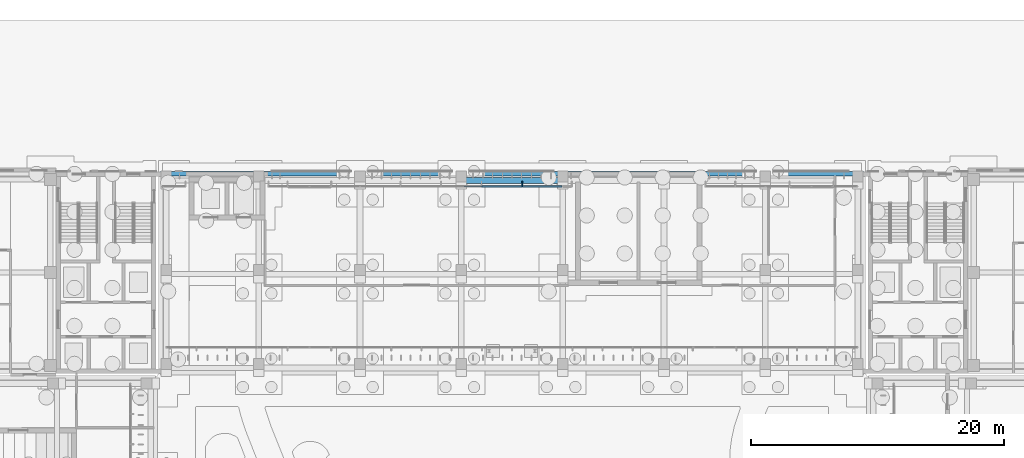
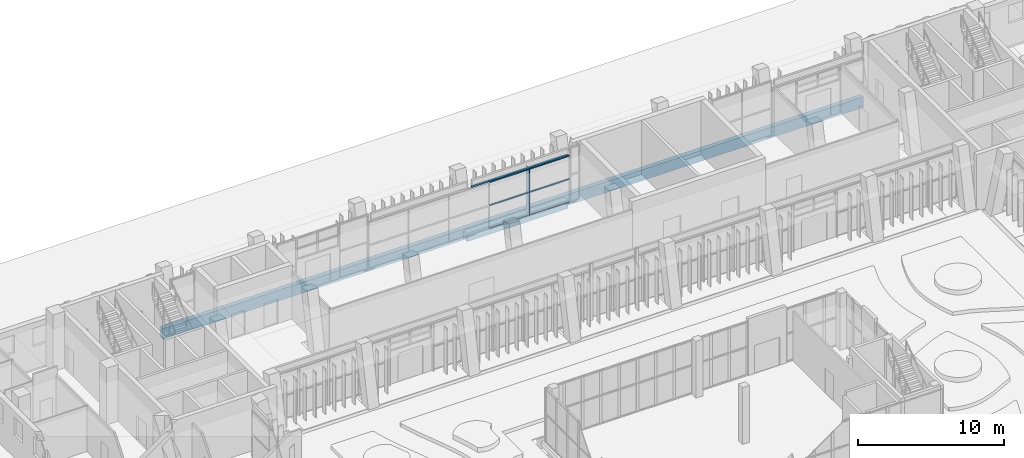
# One storey, part 66 of 144: 7 members, 3 beams, 1 element without a shape of its own.
"""IFC4 building model written with IfcOpenShell, lengths in metres."""

from ifc_helpers import new_model, si_unit, direction, frame, origin, origin_2d, place, context, subcontext, project, spatial, rectangle, hollow_rectangle, extrude, material, material_profile, profile_set, type_object, element, aggregate, save


model = new_model("IFC4")

# Units and contexts
model_context = context("Model", 3, precision=1e-05, world=origin(), true_north=direction((0.0, 1.0)))
body_context = subcontext(model_context, "Body", "Model", "MODEL_VIEW")
ifc_project = project(units=[si_unit("LENGTHUNIT", "METRE"), si_unit("AREAUNIT", "SQUARE_METRE"), si_unit("VOLUMEUNIT", "CUBIC_METRE"), si_unit("PLANEANGLEUNIT", "RADIAN"), si_unit("MASSUNIT", "GRAM", prefix="KILO")], contexts=[model_context])

# Site, building, storey
site_placement = place(None, origin())
site = spatial("IfcSite", under=ifc_project, at=site_placement, CompositionType="ELEMENT")
building_placement = place(site_placement, origin())
building = spatial("IfcBuilding", under=site, at=building_placement, Name="Lantern Court Media Centre", CompositionType="ELEMENT")
storey_placement = place(building_placement, origin())
storey = spatial("IfcBuildingStorey", under=building, at=storey_placement, Name="L00", CompositionType="ELEMENT", Elevation=0.0)

# Curtain wall, members
ifc_material_1 = material(Name="Curtain wall bay 3000")
curtain_wall_type = type_object("IfcCurtainWallType", Name="Curtain wall bay 3000", PredefinedType="NOTDEFINED", material=ifc_material_1)
curtain_wall_placement = place(storey_placement, origin())
curtain_wall = element("IfcCurtainWall", 1, at=curtain_wall_placement, inside=storey, type_object=curtain_wall_type, Name="Curtain wall N outer L00", PredefinedType="NOTDEFINED")
ifc_material_2 = material(Name="Anodised aluminium", Category="aluminium")
ifc_material_profile_1 = material_profile(ifc_material_2, rectangle(XDim=0.449951171875, YDim=0.06005859375, at=origin_2d()), Name="AL 60x450")
ifc_profile_set_1 = profile_set([ifc_material_profile_1], Name="Anodised aluminium")
member_type_1 = type_object("IfcMemberType", Name="Curtain wall mullion 60x450", PredefinedType="MULLION", material=ifc_profile_set_1)
member_1_placement = place(storey_placement, frame((52.800048828125, 111.044921875, 0.0), z_axis=(0.0, 0.0, 1.0), x_axis=(0.0, 1.0, 0.0)))
member_1 = element("IfcMember", 2, at=member_1_placement, type_object=member_type_1, Name="CW1 mullion 5", PredefinedType="MULLION", context=body_context, shape_type="SweptSolid", body=[
    extrude(rectangle(XDim=0.449951171875, YDim=0.06005859375, at=origin_2d()), origin(), (0.0, 0.0, 1.0), 3.949951171875),
])
ifc_material_profile_2 = material_profile(ifc_material_2, rectangle(XDim=0.1201171875, YDim=0.06005859375, at=origin_2d()), Name="AL 60x120")
ifc_profile_set_2 = profile_set([ifc_material_profile_2], Name="Anodised aluminium")
member_type_2 = type_object("IfcMemberType", Name="Curtain wall transom 60x120", PredefinedType="USERDEFINED", material=ifc_profile_set_2)
member_2_placement = place(storey_placement, frame((49.6298828125, 110.85009765625, 0.030029296875), z_axis=(1.0, 0.0, 0.0), x_axis=(0.0, 1.0, 0.0)))
member_2 = element("IfcMember", 3, at=member_2_placement, type_object=member_type_2, Name="CW1 transom 4.1", ObjectType="TRANSOM", PredefinedType="USERDEFINED", context=body_context, shape_type="SweptSolid", body=[
    extrude(rectangle(XDim=0.1201171875, YDim=0.06005859375, at=origin_2d()), origin(), (0.0, 0.0, 1.0), 3.14013671875),
])
member_3_placement = place(storey_placement, frame((49.6298828125, 110.85009765625, 1.97509765625), z_axis=(1.0, 0.0, 0.0), x_axis=(0.0, 1.0, 0.0)))
member_3 = element("IfcMember", 4, at=member_3_placement, type_object=member_type_2, Name="CW1 transom 4.2", ObjectType="TRANSOM", PredefinedType="USERDEFINED", context=body_context, shape_type="SweptSolid", body=[
    extrude(rectangle(XDim=0.1201171875, YDim=0.06005859375, at=origin_2d()), origin(), (0.0, 0.0, 1.0), 3.14013671875),
])
member_4_placement = place(storey_placement, frame((49.6298828125, 110.85009765625, 3.919921875), z_axis=(1.0, 0.0, 0.0), x_axis=(0.0, 1.0, 0.0)))
member_4 = element("IfcMember", 5, at=member_4_placement, type_object=member_type_2, Name="CW1 transom 4.3", ObjectType="TRANSOM", PredefinedType="USERDEFINED", context=body_context, shape_type="SweptSolid", body=[
    extrude(rectangle(XDim=0.1201171875, YDim=0.06005859375, at=origin_2d()), origin(), (0.0, 0.0, 1.0), 3.14013671875),
])
member_5_placement = place(storey_placement, frame((52.830078125, 110.85009765625, 0.030029296875), z_axis=(1.0, 0.0, 0.0), x_axis=(0.0, 1.0, 0.0)))
member_5 = element("IfcMember", 6, at=member_5_placement, type_object=member_type_2, Name="CW1 transom 5.1", ObjectType="TRANSOM", PredefinedType="USERDEFINED", context=body_context, shape_type="SweptSolid", body=[
    extrude(rectangle(XDim=0.1201171875, YDim=0.06005859375, at=origin_2d()), origin(), (0.0, 0.0, 1.0), 3.10986328125),
])
member_6_placement = place(storey_placement, frame((52.830078125, 110.85009765625, 1.97509765625), z_axis=(1.0, 0.0, 0.0), x_axis=(0.0, 1.0, 0.0)))
member_6 = element("IfcMember", 7, at=member_6_placement, type_object=member_type_2, Name="CW1 transom 5.2", ObjectType="TRANSOM", PredefinedType="USERDEFINED", context=body_context, shape_type="SweptSolid", body=[
    extrude(rectangle(XDim=0.1201171875, YDim=0.06005859375, at=origin_2d()), origin(), (0.0, 0.0, 1.0), 3.10986328125),
])
member_7_placement = place(storey_placement, frame((52.830078125, 110.85009765625, 3.919921875), z_axis=(1.0, 0.0, 0.0), x_axis=(0.0, 1.0, 0.0)))
member_7 = element("IfcMember", 8, at=member_7_placement, type_object=member_type_2, Name="CW1 transom 5.3", ObjectType="TRANSOM", PredefinedType="USERDEFINED", context=body_context, shape_type="SweptSolid", body=[
    extrude(rectangle(XDim=0.1201171875, YDim=0.06005859375, at=origin_2d()), origin(), (0.0, 0.0, 1.0), 3.10986328125),
])
aggregate(curtain_wall, [member_1, member_2, member_3, member_4, member_5, member_6, member_7])

# Beams
ifc_material_3 = material(Name="Steel S355J2 (EN 10025-2)", Category="steel")
ifc_material_profile_3 = material_profile(ifc_material_3, hollow_rectangle(XDim=0.10009765625, YDim=0.14990234375, WallThickness=0.00634765625, InnerFilletRadius=0.00634765625, OuterFilletRadius=0.009521484375, at=origin_2d()), Name="Facade head lintel RHS 150x100x6.3")
ifc_profile_set_3 = profile_set([ifc_material_profile_3], Name="Steel S355J2 (EN 10025-2)")
beam_type_1 = type_object("IfcBeamType", Name="Facade head lintel RHS 150x100x6.3", PredefinedType="BEAM", material=ifc_profile_set_3)
beam_1_placement = place(storey_placement, frame((48.199951171875, 110.85009765625, 4.02490234375), z_axis=(1.0, 0.0, 0.0), x_axis=(0.0, 1.0, 0.0)))
element("IfcBeam", 9, at=beam_1_placement, inside=storey, type_object=beam_type_1, Name="Facade head lintel N L00", PredefinedType="BEAM", context=body_context, shape_type="SweptSolid", body=[
    extrude(hollow_rectangle(XDim=0.10009765625, YDim=0.14990234375, WallThickness=0.00634765625, InnerFilletRadius=0.00634765625, OuterFilletRadius=0.009521484375, at=origin_2d()), origin(), (0.0, 0.0, 1.0), 7.60009765625),
])
ifc_material_4 = material(Name="Concrete C35", Category="concrete")
ifc_material_profile_4 = material_profile(ifc_material_4, rectangle(XDim=0.35009765625, YDim=0.89990234375, at=origin_2d()), Name="RC 350x900")
ifc_profile_set_4 = profile_set([ifc_material_profile_4], Name="Concrete C35")
beam_type_2 = type_object("IfcBeamType", Name="RC BEAM 350x900", PredefinedType="BEAM", material=ifc_profile_set_4)
beam_2_placement = place(storey_placement, frame((24.25, 111.85009765625, -0.449951171875), z_axis=(1.0, 0.0, 0.0), x_axis=(0.0, 1.0, 0.0)))
element("IfcBeam", 10, at=beam_2_placement, inside=storey, type_object=beam_type_2, Name="EB-N-L00-B", PredefinedType="BEAM", context=body_context, shape_type="SweptSolid", body=[
    extrude(rectangle(XDim=0.35009765625, YDim=0.89990234375, at=origin_2d()), origin(), (0.0, 0.0, 1.0), 55.5),
])
ifc_material_profile_5 = material_profile(ifc_material_4, rectangle(XDim=0.449951171875, YDim=0.699951171875, at=origin_2d()), Name="RC 450x700")
ifc_profile_set_5 = profile_set([ifc_material_profile_5], Name="Concrete C35")
beam_type_3 = type_object("IfcBeamType", Name="RC BEAM 450x700", PredefinedType="BEAM", material=ifc_profile_set_5)
beam_3_placement = place(storey_placement, frame((48.0, 111.3271484375, -0.35009765625), z_axis=(1.0, 0.0, 0.0), x_axis=(0.0, 1.0, 0.0)))
element("IfcBeam", 11, at=beam_3_placement, inside=storey, type_object=beam_type_3, Name="LB-N-L00-2-3", PredefinedType="BEAM", context=body_context, shape_type="SweptSolid", body=[
    extrude(rectangle(XDim=0.449951171875, YDim=0.699951171875, at=origin_2d()), origin(), (0.0, 0.0, 1.0), 8.0),
])

save(model, "model.ifc")
